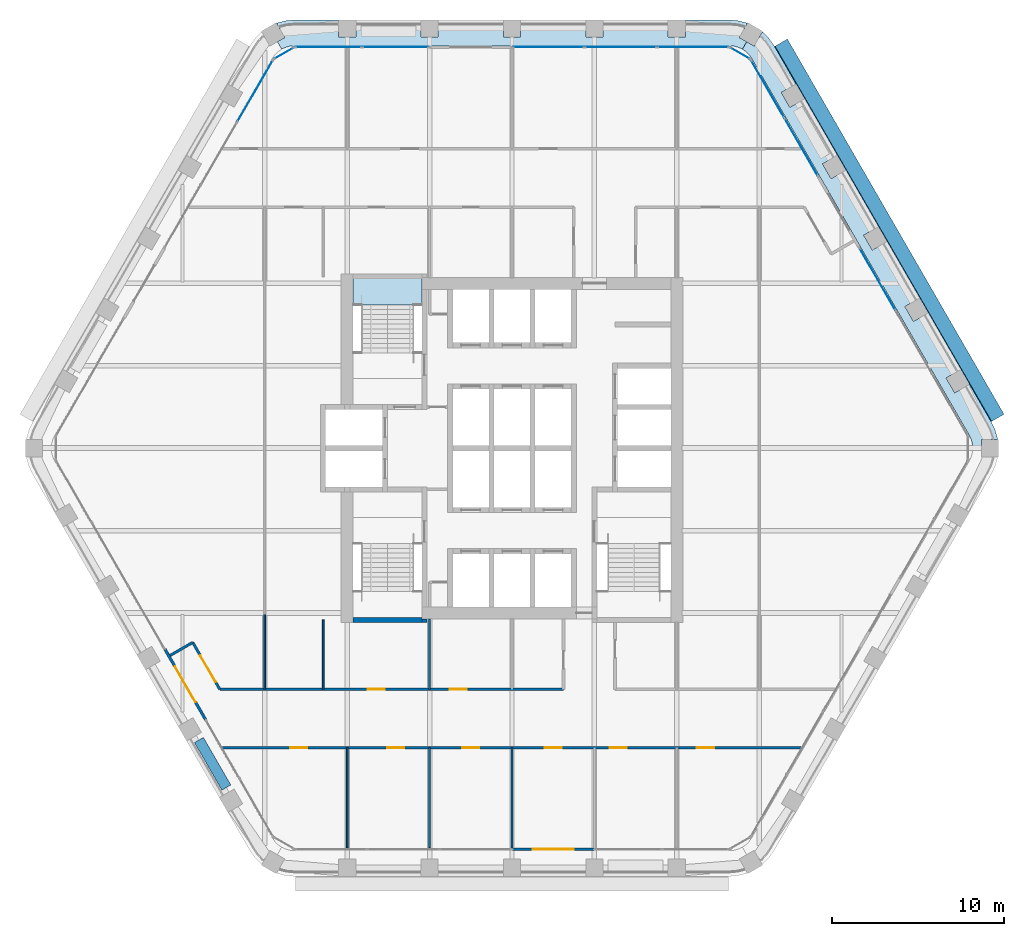
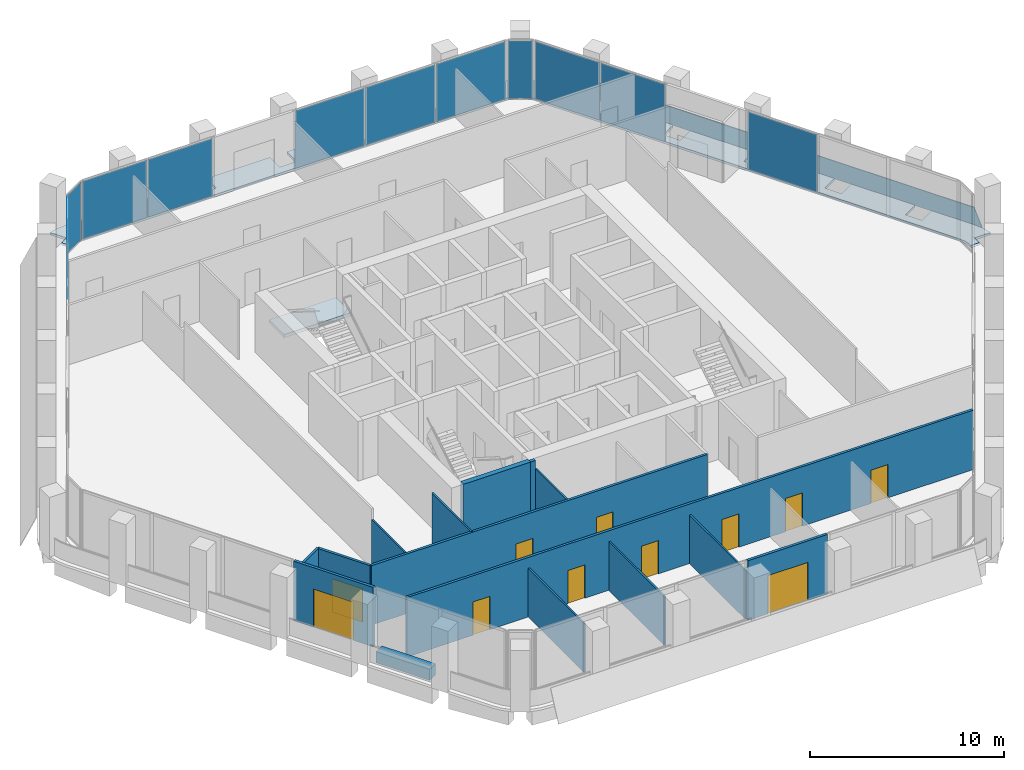
# One storey, part 8 of 15: 15 walls, 12 plates, 11 doors, 3 slabs, 11 openings, 8 elements without a shape of their own.
"""IFC4 building model written with IfcOpenShell, lengths in metres."""

from ifc_helpers import new_model, si_unit, direction, frame, frame_2d, origin, origin_2d, place, context, subcontext, project, spatial, polyline, rectangle, outline, extrude, material, layer, layer_set, type_object, element, fill, aggregate, save


model = new_model("IFC4")

# Units and contexts
model_context = context("Model", 3, precision=1e-05, world=origin(), true_north=direction((0.0, 1.0)))
body_context = subcontext(model_context, "Body", "Model", "MODEL_VIEW")
ifc_project = project(units=[si_unit("LENGTHUNIT", "METRE"), si_unit("AREAUNIT", "SQUARE_METRE"), si_unit("VOLUMEUNIT", "CUBIC_METRE"), si_unit("PLANEANGLEUNIT", "RADIAN"), si_unit("MASSUNIT", "GRAM", prefix="KILO")], contexts=[model_context])

# Site, building, storey
site_placement = place(None, origin())
site = spatial("IfcSite", under=ifc_project, at=site_placement, CompositionType="ELEMENT")
building_placement = place(site_placement, origin())
building = spatial("IfcBuilding", under=site, at=building_placement, Name="Kolab Exchange Tower", CompositionType="ELEMENT")
storey_placement = place(building_placement, frame((0.0, 0.0, 142.699951171875)))
storey = spatial("IfcBuildingStorey", under=building, at=storey_placement, Name="L28", CompositionType="ELEMENT", Elevation=142.699951171875)

# Slabs
ifc_material_1 = material(Name="Concrete C35/45", Category="concrete")
ifc_layer_1 = layer(ifc_material_1, 0.14990234375)
ifc_layer_set_1 = layer_set([ifc_layer_1], Name="Concrete C35/45")
slab_type_1 = type_object("IfcSlabType", Name="LOGGIA SLAB 150", PredefinedType="FLOOR", material=ifc_layer_set_1)
slab_1_placement = place(storey_placement, frame((0.0, 0.0, -0.14990234375)))
element("IfcSlab", 1, at=slab_1_placement, inside=storey, type_object=slab_type_1, Name="slab/L28/loggia/0-0", PredefinedType="FLOOR", context=body_context, shape_type="SweptSolid", body=[
    extrude(outline(polyline([(13.41796875, 23.240478515625), (13.66796875, 23.673583984375), (13.23486328125, 23.923583984375), (13.713134765625, 24.751708984375), (13.694091796875, 24.760498046875), (13.18896484375, 24.89599609375), (12.66796875, 24.941650390625), (10.10009765625, 24.941650390625), (10.10009765625, 23.941650390625), (9.10009765625, 23.941650390625), (9.10009765625, 24.941650390625), (5.300048828125, 24.941650390625), (5.300048828125, 23.941650390625), (4.300048828125, 23.941650390625), (4.300048828125, 24.941650390625), (0.5, 24.941650390625), (0.5, 23.941650390625), (-0.5, 23.941650390625), (-0.5, 24.941650390625), (-4.300048828125, 24.941650390625), (-4.300048828125, 23.941650390625), (-5.300048828125, 23.941650390625), (-5.300048828125, 24.941650390625), (-9.10009765625, 24.941650390625), (-9.10009765625, 23.941650390625), (-10.10009765625, 23.941650390625), (-10.10009765625, 24.941650390625), (-12.66796875, 24.941650390625), (-13.18896484375, 24.89599609375), (-13.694091796875, 24.760498046875), (-13.713134765625, 24.751708984375), (-13.23486328125, 23.923583984375), (-13.66796875, 23.673583984375), (-13.41796875, 23.240478515625), (-13.180908203125, 23.35107421875), (-12.928466796875, 23.418701171875), (-12.66796875, 23.441650390625), (12.66796875, 23.441650390625), (12.928466796875, 23.418701171875), (13.180908203125, 23.35107421875), (13.41796875, 23.240478515625)])), origin(), (0.0, 0.0, 1.0), 0.14990234375),
])
slab_2_placement = place(storey_placement, frame((0.0, 0.0, -0.14990234375)))
element("IfcSlab", 2, at=slab_2_placement, inside=storey, type_object=slab_type_1, Name="slab/L28/loggia/1-0", PredefinedType="FLOOR", context=body_context, shape_type="SweptSolid", body=[
    extrude(outline(polyline([(26.8359375, 0.0), (27.3359375, 0.0), (27.3359375, 0.5), (28.292236328125, 0.5), (28.290283203125, 0.52099609375), (28.155029296875, 1.026123046875), (27.93408203125, 1.5), (26.64990234375, 3.723876953125), (25.783935546875, 3.223876953125), (25.283935546875, 4.08984375), (26.14990234375, 4.58984375), (24.25, 7.880859375), (23.384033203125, 7.380859375), (22.884033203125, 8.246826171875), (23.75, 8.746826171875), (21.85009765625, 12.037841796875), (20.98388671875, 11.537841796875), (20.48388671875, 12.40380859375), (21.35009765625, 12.90380859375), (19.449951171875, 16.194580078125), (18.583984375, 15.694580078125), (18.083984375, 16.560791015625), (18.949951171875, 17.060791015625), (17.050048828125, 20.3515625), (16.18408203125, 19.8515625), (15.68408203125, 20.717529296875), (16.550048828125, 21.217529296875), (15.26611328125, 23.441650390625), (14.966064453125, 23.869873046875), (14.59619140625, 24.23974609375), (14.5791015625, 24.251708984375), (14.10107421875, 23.423583984375), (13.66796875, 23.673583984375), (13.41796875, 23.240478515625), (13.632080078125, 23.090576171875), (13.81689453125, 22.90576171875), (13.967041015625, 22.691650390625), (26.635009765625, 0.75), (26.745361328125, 0.512939453125), (26.81298828125, 0.260498046875), (26.8359375, 0.0)])), origin(), (0.0, 0.0, 1.0), 0.14990234375),
])

# Plate
ifc_material_2 = material(Name="Laminated glass, clear", Category="glass")
ifc_layer_2 = layer(ifc_material_2, 0.0400390625)
ifc_layer_set_2 = layer_set([ifc_layer_2], Name="Laminated glass, clear")
plate_type_1 = type_object("IfcPlateType", Name="OUTER SKIN LAMINATED GLASS SHEET 40", PredefinedType="SHEET", material=ifc_layer_set_2)
plate_1_placement = place(storey_placement, frame((16.040283203125, 23.830810546875, -0.68310546875), z_axis=(0.784898656704, 0.453161865271, 0.422585402693), x_axis=(0.499999968995, -0.866025421685, 9.26315e-07)))
element("IfcPlate", 3, at=plate_1_placement, inside=storey, type_object=plate_type_1, Name="Outer skin", PredefinedType="SHEET", context=body_context, shape_type="SweptSolid", body=[
    extrude(outline(polyline([(0.0, 0.0), (25.23592824607872, 0.0), (25.235843279343595, -1.9612922777250177), (0.00012646525258337368, -1.961343862676479), (0.0, 0.0)])), origin(), (0.0, 0.0, -1.0), 0.0400390625),
])

# Stair, slab
ifc_material_3 = material(Name="Concrete C50/60", Category="concrete")
stair_type = type_object("IfcStairType", Name="STAIR ST1 RISER 177.3", PredefinedType="HALF_TURN_STAIR", material=ifc_material_3)
stair_placement = place(storey_placement, origin())
stair = element("IfcStair", 4, at=stair_placement, inside=storey, type_object=stair_type, Name="Stair 1", PredefinedType="HALF_TURN_STAIR")
ifc_layer_3 = layer(ifc_material_3, 0.199951171875)
ifc_layer_set_3 = layer_set([ifc_layer_3], Name="Concrete C50/60")
slab_type_2 = type_object("IfcSlabType", Name="STAIR LANDING 200", PredefinedType="LANDING", material=ifc_layer_set_3)
slab_3_placement = place(storey_placement, frame((0.0, 0.0, 1.75)))
slab_3 = element("IfcSlab", 5, at=slab_3_placement, type_object=slab_type_2, Name="ST1 landing 2", PredefinedType="LANDING", context=body_context, shape_type="SweptSolid", body=[
    extrude(outline(polyline([(-9.25, 8.35009765625), (-5.25, 8.35009765625), (-5.25, 9.909912109375), (-9.25, 9.909912109375), (-9.25, 8.35009765625)])), origin(), (0.0, 0.0, 1.0), 0.199951171875),
])
aggregate(stair, [slab_3])

# Curtain wall, plates
ifc_material_4 = material(Name="Aluminium EN AW-6063 T6", Category="aluminium")
curtain_wall_type = type_object("IfcCurtainWallType", Name="UNITISED UPPER MID ZONE CURTAIN WALL", PredefinedType="NOTDEFINED", material=ifc_material_4)
curtain_wall_1_placement = place(storey_placement, origin())
curtain_wall_1 = element("IfcCurtainWall", 6, at=curtain_wall_1_placement, inside=storey, type_object=curtain_wall_type, Name="cw/L28/F1-1", PredefinedType="NOTDEFINED")
ifc_material_5 = material(Name="Clear insulated glazing unit", Category="glass")
ifc_layer_4 = layer(ifc_material_5, 0.028076171875)
ifc_layer_set_4 = layer_set([ifc_layer_4], Name="Clear insulated glazing unit")
plate_type_2 = type_object("IfcPlateType", Name="UNITISED UPPER MID ZONE GLASS PANEL 28", PredefinedType="CURTAIN_PANEL", material=ifc_layer_set_4)
plate_2_placement = place(storey_placement, frame((-10.68603515625, 23.361572265625, 0.06005859375), z_axis=(0.0, 0.0, 1.0), x_axis=(1.0, 0.0, 0.0)))
plate_2 = element("IfcPlate", 7, at=plate_2_placement, type_object=plate_type_2, Name="CW3 panel 1.1", PredefinedType="CURTAIN_PANEL", context=body_context, shape_type="SweptSolid", body=[
    extrude(rectangle(XDim=3.843994140625, YDim=0.028076171875, at=origin_2d()), origin(), (0.0, 0.0, 1.0), 3.6298828125),
])
plate_3_placement = place(storey_placement, frame((-6.781982421875, 23.361572265625, 0.06005859375), z_axis=(0.0, 0.0, 1.0), x_axis=(1.0, 0.0, 0.0)))
plate_3 = element("IfcPlate", 8, at=plate_3_placement, type_object=plate_type_2, Name="CW3 panel 2.1", PredefinedType="CURTAIN_PANEL", context=body_context, shape_type="SweptSolid", body=[
    extrude(rectangle(XDim=3.843994140625, YDim=0.028076171875, at=origin_2d()), origin(), (0.0, 0.0, 1.0), 3.6298828125),
])
aggregate(curtain_wall_1, [plate_2, plate_3])

curtain_wall_2_placement = place(storey_placement, origin())
curtain_wall_2 = element("IfcCurtainWall", 9, at=curtain_wall_2_placement, inside=storey, type_object=curtain_wall_type, Name="cw/L28/F1-2", PredefinedType="NOTDEFINED")
plate_4_placement = place(storey_placement, frame((2.126220703125, 23.361572265625, 0.06005859375), z_axis=(0.0, 0.0, 1.0), x_axis=(1.0, 0.0, 0.0)))
plate_4 = element("IfcPlate", 10, at=plate_4_placement, type_object=plate_type_2, Name="CW3 panel 1.1", PredefinedType="CURTAIN_PANEL", context=body_context, shape_type="SweptSolid", body=[
    extrude(rectangle(XDim=4.132568359375, YDim=0.028076171875, at=origin_2d()), origin(), (0.0, 0.0, 1.0), 3.6298828125),
])
plate_5_placement = place(storey_placement, frame((6.333984375, 23.361572265625, 0.06005859375), z_axis=(0.0, 0.0, 1.0), x_axis=(1.0, 0.0, 0.0)))
plate_5 = element("IfcPlate", 11, at=plate_5_placement, type_object=plate_type_2, Name="CW3 panel 2.1", PredefinedType="CURTAIN_PANEL", context=body_context, shape_type="SweptSolid", body=[
    extrude(rectangle(XDim=4.16259765625, YDim=0.028076171875, at=origin_2d()), origin(), (0.0, 0.0, 1.0), 3.6298828125),
])
plate_6_placement = place(storey_placement, frame((10.54150390625, 23.361572265625, 0.06005859375), z_axis=(0.0, 0.0, 1.0), x_axis=(1.0, 0.0, 0.0)))
plate_6 = element("IfcPlate", 12, at=plate_6_placement, type_object=plate_type_2, Name="CW3 panel 3.1", PredefinedType="CURTAIN_PANEL", context=body_context, shape_type="SweptSolid", body=[
    extrude(rectangle(XDim=4.132568359375, YDim=0.028076171875, at=origin_2d()), origin(), (0.0, 0.0, 1.0), 3.6298828125),
])
aggregate(curtain_wall_2, [plate_4, plate_5, plate_6])

curtain_wall_3_placement = place(storey_placement, origin())
curtain_wall_3 = element("IfcCurtainWall", 13, at=curtain_wall_3_placement, inside=storey, type_object=curtain_wall_type, Name="cw/L28/F2-1", PredefinedType="NOTDEFINED")
plate_7_placement = place(storey_placement, frame((14.888671875, 20.93505859375, 0.06005859375), z_axis=(0.0, 0.0, 1.0), x_axis=(0.500000031681, -0.866025385493, 0.0)))
plate_7 = element("IfcPlate", 14, at=plate_7_placement, type_object=plate_type_2, Name="CW3 panel 1.1", PredefinedType="CURTAIN_PANEL", context=body_context, shape_type="SweptSolid", body=[
    extrude(rectangle(XDim=3.843994140625, YDim=0.028076171875, at=origin_2d()), origin(), (0.0, 0.0, 1.0), 3.6298828125),
])
plate_8_placement = place(storey_placement, frame((16.840576171875, 17.55419921875, 0.06005859375), z_axis=(0.0, 0.0, 1.0), x_axis=(0.500000031681, -0.866025385493, 0.0)))
plate_8 = element("IfcPlate", 15, at=plate_8_placement, type_object=plate_type_2, Name="CW3 panel 2.1", PredefinedType="CURTAIN_PANEL", context=body_context, shape_type="SweptSolid", body=[
    extrude(rectangle(XDim=3.843994140625, YDim=0.028076171875, at=origin_2d()), origin(), (0.0, 0.0, 1.0), 3.6298828125),
])
aggregate(curtain_wall_3, [plate_7, plate_8])

# Curtain wall, plate
curtain_wall_4_placement = place(storey_placement, origin())
curtain_wall_4 = element("IfcCurtainWall", 16, at=curtain_wall_4_placement, inside=storey, type_object=curtain_wall_type, Name="cw/L28/F2-2", PredefinedType="NOTDEFINED")
plate_9_placement = place(storey_placement, frame((21.294921875, 9.83935546875, 0.06005859375), z_axis=(0.0, 0.0, 1.0), x_axis=(0.499999958358, -0.866025427826, 0.0)))
plate_9 = element("IfcPlate", 17, at=plate_9_placement, type_object=plate_type_2, Name="CW3 panel 1.1", PredefinedType="CURTAIN_PANEL", context=body_context, shape_type="SweptSolid", body=[
    extrude(rectangle(XDim=4.132568359375, YDim=0.028076171875, at=origin_2d()), origin(), (0.0, 0.0, 1.0), 3.6298828125),
])
aggregate(curtain_wall_4, [plate_9])

curtain_wall_5_placement = place(storey_placement, origin())
curtain_wall_5 = element("IfcCurtainWall", 18, at=curtain_wall_5_placement, inside=storey, type_object=curtain_wall_type, Name="cw/L28/F6-2", PredefinedType="NOTDEFINED")
plate_10_placement = place(storey_placement, frame((-14.9609375, 20.81005859375, 0.06005859375), z_axis=(0.0, 0.0, 1.0), x_axis=(0.500000017564, 0.866025393644, 0.0)))
plate_10 = element("IfcPlate", 19, at=plate_10_placement, type_object=plate_type_2, Name="CW3 panel 3.1", PredefinedType="CURTAIN_PANEL", context=body_context, shape_type="SweptSolid", body=[
    extrude(rectangle(XDim=4.132568359375, YDim=0.028076171875, at=origin_2d()), origin(), (0.0, 0.0, 1.0), 3.6298828125),
])
aggregate(curtain_wall_5, [plate_10])

curtain_wall_6_placement = place(storey_placement, origin())
curtain_wall_6 = element("IfcCurtainWall", 20, at=curtain_wall_6_placement, inside=storey, type_object=curtain_wall_type, Name="cw/L28/F1F2-corner", PredefinedType="NOTDEFINED")
plate_11_placement = place(storey_placement, frame((13.28271484375, 23.006591796875, 0.06005859375), z_axis=(0.0, 0.0, 1.0), x_axis=(0.866025390869, -0.50000002237, 0.0)))
plate_11 = element("IfcPlate", 21, at=plate_11_placement, type_object=plate_type_2, Name="CW3 panel 1.1", PredefinedType="CURTAIN_PANEL", context=body_context, shape_type="SweptSolid", body=[
    extrude(rectangle(XDim=1.300048828125, YDim=0.028076171875, at=origin_2d()), origin(), (0.0, 0.0, 1.0), 3.6298828125),
])
aggregate(curtain_wall_6, [plate_11])

curtain_wall_7_placement = place(storey_placement, origin())
curtain_wall_7 = element("IfcCurtainWall", 22, at=curtain_wall_7_placement, inside=storey, type_object=curtain_wall_type, Name="cw/L28/F6F1-corner", PredefinedType="NOTDEFINED")
plate_12_placement = place(storey_placement, frame((-13.28271484375, 23.006591796875, 0.06005859375), z_axis=(0.0, 0.0, 1.0), x_axis=(0.866025390869, 0.50000002237, 0.0)))
plate_12 = element("IfcPlate", 23, at=plate_12_placement, type_object=plate_type_2, Name="CW3 panel 1.1", PredefinedType="CURTAIN_PANEL", context=body_context, shape_type="SweptSolid", body=[
    extrude(rectangle(XDim=1.300048828125, YDim=0.028076171875, at=origin_2d()), origin(), (0.0, 0.0, 1.0), 3.6298828125),
])
aggregate(curtain_wall_7, [plate_12])

# Wall, opening, door
ifc_layer_5 = layer(ifc_material_4, 0.159912109375)
ifc_layer_set_5 = layer_set([ifc_layer_5], Name="Aluminium EN AW-6063 T6")
wall_type_1 = type_object("IfcWallType", Name="DOOR SURROUND WALL 160 ALUMINIUM FRAMED", PredefinedType="PARTITIONING", material=ifc_layer_set_5)
wall_1_placement = place(storey_placement, frame((4.77001953125, -23.361572265625, 0.0), z_axis=(0.0, 0.0, 1.0), x_axis=(-1.0, 0.0, 0.0)))
wall_1 = element("IfcWall", 24, at=wall_1_placement, inside=storey, type_object=wall_type_1, Name="Door surround wall", PredefinedType="PARTITIONING", context=body_context, shape_type="SweptSolid", body=[
    extrude(rectangle(XDim=4.739990234375, YDim=0.159912109375, at=frame_2d((2.3701171875, 0.0))), origin(), (0.0, 0.0, 1.0), 3.75),
])
opening_1_placement = place(wall_1_placement, frame((1.169921875, 0.0, 0.0)))
opening_1 = element("IfcOpeningElement", 25, at=opening_1_placement, cuts=wall_1, Name="Opening GD1-067", PredefinedType="OPENING", context=body_context, shape_type="SweptSolid", body=[
    extrude(rectangle(XDim=2.39990234375, YDim=2.39990234375, at=frame_2d((1.199951171875, 1.199951171875))), frame((0.0, 0.08984375, 0.0), z_axis=(0.0, -1.0, 0.0), x_axis=(1.0, 0.0, 0.0)), (0.0, 0.0, 1.0), 0.179931640625),
])
door_type_1 = type_object("IfcDoorType", Name="LOGGIA SLIDING GLASS DOOR 2400 X 2400", OperationType="DOUBLE_DOOR_SINGLE_SWING", PredefinedType="DOOR", material=ifc_material_4)
door_1_placement = place(opening_1_placement, origin())
door_1 = element("IfcDoor", 26, at=door_1_placement, inside=storey, type_object=door_type_1, Name="Loggia door", OperationType="DOUBLE_DOOR_SLIDING", OverallHeight=2.39990234375, OverallWidth=2.39990234375, PredefinedType="DOOR", context=body_context, shape_type="SweptSolid", body=[
    extrude(rectangle(XDim=2.39990234375, YDim=2.39990234375, at=frame_2d((1.199951171875, 1.199951171875))), frame((0.0, 0.02490234375, 0.0), z_axis=(0.0, -1.0, 0.0), x_axis=(1.0, 0.0, 0.0)), (0.0, 0.0, 1.0), 0.050048828125),
])
fill(opening_1, door_1)

wall_2_placement = place(storey_placement, frame((-17.8466796875, -15.811767578125, 0.0), z_axis=(0.0, 0.0, 1.0), x_axis=(-0.5000167099, 0.866015756104, 0.0)))
wall_2 = element("IfcWall", 27, at=wall_2_placement, inside=storey, type_object=wall_type_1, Name="Door surround wall", PredefinedType="PARTITIONING", context=body_context, shape_type="SweptSolid", body=[
    extrude(rectangle(XDim=4.739990234375, YDim=0.159912109375, at=frame_2d((2.3701171875, 0.0))), origin(), (0.0, 0.0, 1.0), 3.75),
])
opening_2_placement = place(wall_2_placement, frame((1.169921875, 0.0, 0.0)))
opening_2 = element("IfcOpeningElement", 28, at=opening_2_placement, cuts=wall_2, Name="Opening GD1-068", PredefinedType="OPENING", context=body_context, shape_type="SweptSolid", body=[
    extrude(rectangle(XDim=2.39990234375, YDim=2.39990234375, at=frame_2d((1.199951171875, 1.199951171875))), frame((0.0, 0.08984375, 0.0), z_axis=(0.0, -1.0, 0.0), x_axis=(1.0, 0.0, 0.0)), (0.0, 0.0, 1.0), 0.179931640625),
])
door_2_placement = place(opening_2_placement, origin())
door_2 = element("IfcDoor", 29, at=door_2_placement, inside=storey, type_object=door_type_1, Name="Loggia door", OperationType="DOUBLE_DOOR_SLIDING", OverallHeight=2.39990234375, OverallWidth=2.39990234375, PredefinedType="DOOR", context=body_context, shape_type="SweptSolid", body=[
    extrude(rectangle(XDim=2.39990234375, YDim=2.39990234375, at=frame_2d((1.199951171875, 1.199951171875))), frame((0.0, 0.02490234375, 0.0), z_axis=(0.0, -1.0, 0.0), x_axis=(1.0, 0.0, 0.0)), (0.0, 0.0, 1.0), 0.050048828125),
])
fill(opening_2, door_2)

# Walls
ifc_material_6 = material(Name="Gypsum board", Category="gypsum")
ifc_layer_6 = layer(ifc_material_6, 0.10009765625)
ifc_layer_set_6 = layer_set([ifc_layer_6], Name="Gypsum board")
wall_type_2 = type_object("IfcWallType", Name="PARTITION 100", PredefinedType="PARTITIONING", material=ifc_layer_set_6)
wall_3_placement = place(storey_placement, frame((0.0, -23.281494140625, 0.0), z_axis=(0.0, 0.0, 1.0), x_axis=(0.0, 1.0, 0.0)))
element("IfcWall", 30, at=wall_3_placement, inside=storey, type_object=wall_type_2, Name="Partition 010", PredefinedType="PARTITIONING", context=body_context, shape_type="SweptSolid", body=[
    extrude(rectangle(XDim=5.840087890625, YDim=0.10009765625, at=frame_2d((2.919921875, 0.0))), origin(), (0.0, 0.0, 1.0), 3.066162109375),
])
wall_4_placement = place(storey_placement, frame((-4.800048828125, -23.271484375, 0.0), z_axis=(0.0, 0.0, 1.0), x_axis=(0.0, 1.0, 0.0)))
element("IfcWall", 31, at=wall_4_placement, inside=storey, type_object=wall_type_2, Name="Partition 014", PredefinedType="PARTITIONING", context=body_context, shape_type="SweptSolid", body=[
    extrude(rectangle(XDim=5.830078125, YDim=0.10009765625, at=frame_2d((2.9150390625, 0.0))), origin(), (0.0, 0.0, 1.0), 3.066162109375),
])
wall_5_placement = place(storey_placement, frame((-4.800048828125, -14.04150390625, 0.0), z_axis=(0.0, 0.0, 1.0), x_axis=(0.0, 1.0, 0.0)))
element("IfcWall", 32, at=wall_5_placement, inside=storey, type_object=wall_type_2, Name="Partition 015", PredefinedType="PARTITIONING", context=body_context, shape_type="SweptSolid", body=[
    extrude(rectangle(XDim=4.091552734375, YDim=0.10009765625, at=frame_2d((2.0458984375, 0.0))), origin(), (0.0, 0.0, 1.0), 3.066162109375),
])
wall_6_placement = place(storey_placement, frame((-9.60009765625, -23.271484375, 0.0), z_axis=(0.0, 0.0, 1.0), x_axis=(0.0, 1.0, 0.0)))
element("IfcWall", 33, at=wall_6_placement, inside=storey, type_object=wall_type_2, Name="Partition 019", PredefinedType="PARTITIONING", context=body_context, shape_type="SweptSolid", body=[
    extrude(rectangle(XDim=5.830078125, YDim=0.10009765625, at=frame_2d((2.9150390625, 0.0))), origin(), (0.0, 0.0, 1.0), 3.066162109375),
])
wall_7_placement = place(storey_placement, frame((-11.0, -14.04150390625, 0.0), z_axis=(0.0, 0.0, 1.0), x_axis=(0.0, 1.0, 0.0)))
element("IfcWall", 34, at=wall_7_placement, inside=storey, type_object=wall_type_2, Name="Partition 021", PredefinedType="PARTITIONING", context=body_context, shape_type="SweptSolid", body=[
    extrude(rectangle(XDim=4.04150390625, YDim=0.10009765625, at=frame_2d((2.020751953125, 0.0))), origin(), (0.0, 0.0, 1.0), 3.75),
])
wall_8_placement = place(storey_placement, frame((-14.39990234375, -14.04150390625, 0.0), z_axis=(0.0, 0.0, 1.0), x_axis=(0.0, 1.0, 0.0)))
element("IfcWall", 35, at=wall_8_placement, inside=storey, type_object=wall_type_2, Name="Partition 023", PredefinedType="PARTITIONING", context=body_context, shape_type="SweptSolid", body=[
    extrude(rectangle(XDim=4.347900390625, YDim=0.10009765625, at=frame_2d((2.173828125, 0.0))), origin(), (0.0, 0.0, 1.0), 3.066162109375),
])

# Wall, opening, door
ifc_layer_7 = layer(ifc_material_6, 0.14990234375)
ifc_layer_set_7 = layer_set([ifc_layer_7], Name="Gypsum board")
wall_type_3 = type_object("IfcWallType", Name="PARTITION 150 FIRE-RATED", PredefinedType="PARTITIONING", material=ifc_layer_set_7)
wall_9_placement = place(storey_placement, frame((-18.595947265625, -11.313720703125, 0.0), z_axis=(0.0, 0.0, 1.0), x_axis=(0.499957296199, -0.866050057432, 0.0)))
wall_9 = element("IfcWall", 36, at=wall_9_placement, inside=storey, type_object=wall_type_3, Name="Partition 024", PredefinedType="PARTITIONING", context=body_context, shape_type="SweptSolid", body=[
    extrude(rectangle(XDim=3.149658203125, YDim=0.14990234375, at=frame_2d((1.57470703125, 0.0))), origin(), (0.0, 0.0, 1.0), 3.75),
])
opening_3_placement = place(wall_9_placement, frame((0.867431640625, 0.0, 0.0)))
opening_3 = element("IfcOpeningElement", 37, at=opening_3_placement, cuts=wall_9, Name="Opening D2-040", PredefinedType="OPENING", context=body_context, shape_type="SweptSolid", body=[
    extrude(rectangle(XDim=1.800048828125, YDim=2.10009765625, at=frame_2d((0.89990234375, 1.050048828125))), frame((0.0, 0.0849609375, 0.0), z_axis=(0.0, -1.0, 0.0), x_axis=(1.0, 0.0, 0.0)), (0.0, 0.0, 1.0), 0.169921875),
])
ifc_material_7 = material(Name="Steel S235", Category="steel")
door_type_2 = type_object("IfcDoorType", Name="DOUBLE DOOR 1800 FD60", OperationType="DOUBLE_DOOR_SINGLE_SWING", PredefinedType="DOOR", material=ifc_material_7)
door_3_placement = place(opening_3_placement, origin())
door_3 = element("IfcDoor", 38, at=door_3_placement, inside=storey, type_object=door_type_2, Name="Door L28-051", OperationType="SINGLE_SWING_RIGHT", OverallHeight=2.10009765625, OverallWidth=1.800048828125, PredefinedType="DOOR", context=body_context, shape_type="SweptSolid", body=[
    extrude(rectangle(XDim=1.800048828125, YDim=2.10009765625, at=frame_2d((0.89990234375, 1.050048828125))), frame((0.0, 0.02490234375, 0.0), z_axis=(0.0, -1.0, 0.0), x_axis=(1.0, 0.0, 0.0)), (0.0, 0.0, 1.0), 0.050048828125),
])
fill(opening_3, door_3)

# Wall
wall_10_placement = place(storey_placement, frame((-19.912353515625, -12.07373046875, 0.0), z_axis=(0.0, 0.0, 1.0), x_axis=(0.866030456496, 0.499991248344, 0.0)))
element("IfcWall", 39, at=wall_10_placement, inside=storey, type_object=wall_type_3, Name="Partition 026", PredefinedType="PARTITIONING", context=body_context, shape_type="SweptSolid", body=[
    extrude(rectangle(XDim=1.52001953125, YDim=0.14990234375, at=frame_2d((0.760009765625, 0.0))), origin(), (0.0, 0.0, 1.0), 3.75),
])

# Wall, openings, doors
wall_11_placement = place(storey_placement, frame((-16.859619140625, -17.44140625, 0.0), z_axis=(0.0, 0.0, 1.0), x_axis=(1.0, 0.0, 0.0)))
wall_11 = element("IfcWall", 40, at=wall_11_placement, inside=storey, type_object=wall_type_3, Name="Partition 028", PredefinedType="PARTITIONING", context=body_context, shape_type="SweptSolid", body=[
    extrude(rectangle(XDim=33.71923828125, YDim=0.14990234375, at=frame_2d((16.859619140625, 0.0))), origin(), (0.0, 0.0, 1.0), 3.75),
])
opening_4_placement = place(wall_11_placement, frame((3.93017578125, 0.0, 0.0)))
opening_4 = element("IfcOpeningElement", 41, at=opening_4_placement, cuts=wall_11, Name="Opening D1-410", PredefinedType="OPENING", context=body_context, shape_type="SweptSolid", body=[
    extrude(rectangle(XDim=1.0, YDim=2.10009765625, at=frame_2d((0.5, 1.050048828125))), frame((0.0, 0.0849609375, 0.0), z_axis=(0.0, -1.0, 0.0), x_axis=(1.0, 0.0, 0.0)), (0.0, 0.0, 1.0), 0.169921875),
])
opening_5_placement = place(wall_11_placement, frame((9.594482421875, 0.0, 0.0)))
opening_5 = element("IfcOpeningElement", 42, at=opening_5_placement, cuts=wall_11, Name="Opening D1-411", PredefinedType="OPENING", context=body_context, shape_type="SweptSolid", body=[
    extrude(rectangle(XDim=1.0, YDim=2.10009765625, at=frame_2d((0.5, 1.050048828125))), frame((0.0, 0.0849609375, 0.0), z_axis=(0.0, -1.0, 0.0), x_axis=(1.0, 0.0, 0.0)), (0.0, 0.0, 1.0), 0.169921875),
])
opening_6_placement = place(wall_11_placement, frame((13.95947265625, 0.0, 0.0)))
opening_6 = element("IfcOpeningElement", 43, at=opening_6_placement, cuts=wall_11, Name="Opening D1-412", PredefinedType="OPENING", context=body_context, shape_type="SweptSolid", body=[
    extrude(rectangle(XDim=1.0, YDim=2.10009765625, at=frame_2d((0.5, 1.050048828125))), frame((0.0, 0.0849609375, 0.0), z_axis=(0.0, -1.0, 0.0), x_axis=(1.0, 0.0, 0.0)), (0.0, 0.0, 1.0), 0.169921875),
])
opening_7_placement = place(wall_11_placement, frame((18.759521484375, 0.0, 0.0)))
opening_7 = element("IfcOpeningElement", 44, at=opening_7_placement, cuts=wall_11, Name="Opening D1-413", PredefinedType="OPENING", context=body_context, shape_type="SweptSolid", body=[
    extrude(rectangle(XDim=1.0, YDim=2.10009765625, at=frame_2d((0.5, 1.050048828125))), frame((0.0, 0.0849609375, 0.0), z_axis=(0.0, -1.0, 0.0), x_axis=(1.0, 0.0, 0.0)), (0.0, 0.0, 1.0), 0.169921875),
])
opening_8_placement = place(wall_11_placement, frame((22.54443359375, 0.0, 0.0)))
opening_8 = element("IfcOpeningElement", 45, at=opening_8_placement, cuts=wall_11, Name="Opening D1-414", PredefinedType="OPENING", context=body_context, shape_type="SweptSolid", body=[
    extrude(rectangle(XDim=1.0, YDim=2.10009765625, at=frame_2d((0.5, 1.050048828125))), frame((0.0, 0.0849609375, 0.0), z_axis=(0.0, -1.0, 0.0), x_axis=(1.0, 0.0, 0.0)), (0.0, 0.0, 1.0), 0.169921875),
])
opening_9_placement = place(wall_11_placement, frame((27.629150390625, 0.0, 0.0)))
opening_9 = element("IfcOpeningElement", 46, at=opening_9_placement, cuts=wall_11, Name="Opening D1-415", PredefinedType="OPENING", context=body_context, shape_type="SweptSolid", body=[
    extrude(rectangle(XDim=1.0, YDim=2.10009765625, at=frame_2d((0.5, 1.050048828125))), frame((0.0, 0.0849609375, 0.0), z_axis=(0.0, -1.0, 0.0), x_axis=(1.0, 0.0, 0.0)), (0.0, 0.0, 1.0), 0.169921875),
])
door_type_3 = type_object("IfcDoorType", Name="FLUSH DOOR 1000 FD60", OperationType="SINGLE_SWING_LEFT", PredefinedType="DOOR", material=ifc_material_7)
door_4_placement = place(opening_4_placement, frame((1.0, 0.0, 0.0), z_axis=(0.0, 0.0, 1.0), x_axis=(-1.0, 0.0, 0.0)))
door_4 = element("IfcDoor", 47, at=door_4_placement, inside=storey, type_object=door_type_3, Name="Door L28-043", OperationType="SINGLE_SWING_RIGHT", OverallHeight=2.10009765625, OverallWidth=1.0, PredefinedType="DOOR", context=body_context, shape_type="SweptSolid", body=[
    extrude(rectangle(XDim=1.0, YDim=2.10009765625, at=frame_2d((0.5, 1.050048828125))), frame((0.0, 0.02490234375, 0.0), z_axis=(0.0, -1.0, 0.0), x_axis=(1.0, 0.0, 0.0)), (0.0, 0.0, 1.0), 0.050048828125),
])
fill(opening_4, door_4)
door_5_placement = place(opening_5_placement, frame((1.0, 0.0, 0.0), z_axis=(0.0, 0.0, 1.0), x_axis=(-1.0, 0.0, 0.0)))
door_5 = element("IfcDoor", 48, at=door_5_placement, inside=storey, type_object=door_type_3, Name="Door L28-044", OperationType="SINGLE_SWING_RIGHT", OverallHeight=2.10009765625, OverallWidth=1.0, PredefinedType="DOOR", context=body_context, shape_type="SweptSolid", body=[
    extrude(rectangle(XDim=1.0, YDim=2.10009765625, at=frame_2d((0.5, 1.050048828125))), frame((0.0, 0.02490234375, 0.0), z_axis=(0.0, -1.0, 0.0), x_axis=(1.0, 0.0, 0.0)), (0.0, 0.0, 1.0), 0.050048828125),
])
fill(opening_5, door_5)
door_6_placement = place(opening_6_placement, frame((1.0, 0.0, 0.0), z_axis=(0.0, 0.0, 1.0), x_axis=(-1.0, 0.0, 0.0)))
door_6 = element("IfcDoor", 49, at=door_6_placement, inside=storey, type_object=door_type_3, Name="Door L28-045", OperationType="SINGLE_SWING_LEFT", OverallHeight=2.10009765625, OverallWidth=1.0, PredefinedType="DOOR", context=body_context, shape_type="SweptSolid", body=[
    extrude(rectangle(XDim=1.0, YDim=2.10009765625, at=frame_2d((0.5, 1.050048828125))), frame((0.0, 0.02490234375, 0.0), z_axis=(0.0, -1.0, 0.0), x_axis=(1.0, 0.0, 0.0)), (0.0, 0.0, 1.0), 0.050048828125),
])
fill(opening_6, door_6)
door_7_placement = place(opening_7_placement, frame((1.0, 0.0, 0.0), z_axis=(0.0, 0.0, 1.0), x_axis=(-1.0, 0.0, 0.0)))
door_7 = element("IfcDoor", 50, at=door_7_placement, inside=storey, type_object=door_type_3, Name="Door L28-046", OperationType="SINGLE_SWING_LEFT", OverallHeight=2.10009765625, OverallWidth=1.0, PredefinedType="DOOR", context=body_context, shape_type="SweptSolid", body=[
    extrude(rectangle(XDim=1.0, YDim=2.10009765625, at=frame_2d((0.5, 1.050048828125))), frame((0.0, 0.02490234375, 0.0), z_axis=(0.0, -1.0, 0.0), x_axis=(1.0, 0.0, 0.0)), (0.0, 0.0, 1.0), 0.050048828125),
])
fill(opening_7, door_7)
door_8_placement = place(opening_8_placement, frame((1.0, 0.0, 0.0), z_axis=(0.0, 0.0, 1.0), x_axis=(-1.0, 0.0, 0.0)))
door_8 = element("IfcDoor", 51, at=door_8_placement, inside=storey, type_object=door_type_3, Name="Door L28-047", OperationType="SINGLE_SWING_LEFT", OverallHeight=2.10009765625, OverallWidth=1.0, PredefinedType="DOOR", context=body_context, shape_type="SweptSolid", body=[
    extrude(rectangle(XDim=1.0, YDim=2.10009765625, at=frame_2d((0.5, 1.050048828125))), frame((0.0, 0.02490234375, 0.0), z_axis=(0.0, -1.0, 0.0), x_axis=(1.0, 0.0, 0.0)), (0.0, 0.0, 1.0), 0.050048828125),
])
fill(opening_8, door_8)
door_9_placement = place(opening_9_placement, frame((1.0, 0.0, 0.0), z_axis=(0.0, 0.0, 1.0), x_axis=(-1.0, 0.0, 0.0)))
door_9 = element("IfcDoor", 52, at=door_9_placement, inside=storey, type_object=door_type_3, Name="Door L28-048", OperationType="SINGLE_SWING_LEFT", OverallHeight=2.10009765625, OverallWidth=1.0, PredefinedType="DOOR", context=body_context, shape_type="SweptSolid", body=[
    extrude(rectangle(XDim=1.0, YDim=2.10009765625, at=frame_2d((0.5, 1.050048828125))), frame((0.0, 0.02490234375, 0.0), z_axis=(0.0, -1.0, 0.0), x_axis=(1.0, 0.0, 0.0)), (0.0, 0.0, 1.0), 0.050048828125),
])
fill(opening_9, door_9)

wall_12_placement = place(storey_placement, frame((-17.021240234375, -14.04150390625, 0.0), z_axis=(0.0, 0.0, 1.0), x_axis=(1.0, 0.0, 0.0)))
wall_12 = element("IfcWall", 53, at=wall_12_placement, inside=storey, type_object=wall_type_3, Name="Partition 029", PredefinedType="PARTITIONING", context=body_context, shape_type="SweptSolid", body=[
    extrude(rectangle(XDim=20.021240234375, YDim=0.14990234375, at=frame_2d((10.0107421875, 0.0))), origin(), (0.0, 0.0, 1.0), 3.75),
])
opening_10_placement = place(wall_12_placement, frame((8.62109375, 0.0, 0.0)))
opening_10 = element("IfcOpeningElement", 54, at=opening_10_placement, cuts=wall_12, Name="Opening D1-403", PredefinedType="OPENING", context=body_context, shape_type="SweptSolid", body=[
    extrude(rectangle(XDim=1.0, YDim=2.10009765625, at=frame_2d((0.5, 1.050048828125))), frame((0.0, 0.0849609375, 0.0), z_axis=(0.0, -1.0, 0.0), x_axis=(1.0, 0.0, 0.0)), (0.0, 0.0, 1.0), 0.169921875),
])
opening_11_placement = place(wall_12_placement, frame((13.396240234375, 0.0, 0.0)))
opening_11 = element("IfcOpeningElement", 55, at=opening_11_placement, cuts=wall_12, Name="Opening D1-404", PredefinedType="OPENING", context=body_context, shape_type="SweptSolid", body=[
    extrude(rectangle(XDim=1.0, YDim=2.10009765625, at=frame_2d((0.5, 1.050048828125))), frame((0.0, 0.0849609375, 0.0), z_axis=(0.0, -1.0, 0.0), x_axis=(1.0, 0.0, 0.0)), (0.0, 0.0, 1.0), 0.169921875),
])
door_10_placement = place(opening_10_placement, origin())
door_10 = element("IfcDoor", 56, at=door_10_placement, inside=storey, type_object=door_type_3, Name="Door L28-036", OperationType="SINGLE_SWING_LEFT", OverallHeight=2.10009765625, OverallWidth=1.0, PredefinedType="DOOR", context=body_context, shape_type="SweptSolid", body=[
    extrude(rectangle(XDim=1.0, YDim=2.10009765625, at=frame_2d((0.5, 1.050048828125))), frame((0.0, 0.02490234375, 0.0), z_axis=(0.0, -1.0, 0.0), x_axis=(1.0, 0.0, 0.0)), (0.0, 0.0, 1.0), 0.050048828125),
])
fill(opening_10, door_10)
door_11_placement = place(opening_11_placement, origin())
door_11 = element("IfcDoor", 57, at=door_11_placement, inside=storey, type_object=door_type_3, Name="Door L28-037", OperationType="SINGLE_SWING_LEFT", OverallHeight=2.10009765625, OverallWidth=1.0, PredefinedType="DOOR", context=body_context, shape_type="SweptSolid", body=[
    extrude(rectangle(XDim=1.0, YDim=2.10009765625, at=frame_2d((0.5, 1.050048828125))), frame((0.0, 0.02490234375, 0.0), z_axis=(0.0, -1.0, 0.0), x_axis=(1.0, 0.0, 0.0)), (0.0, 0.0, 1.0), 0.050048828125),
])
fill(opening_11, door_11)

# Walls
ifc_material_8 = material(Name="Granite facing", Category="masonry")
ifc_layer_8 = layer(ifc_material_8, 0.0400390625)
ifc_material_9 = material(Name="Concrete C40/50 precast", Category="concrete")
ifc_layer_9 = layer(ifc_material_9, 0.56005859375)
ifc_layer_set_8 = layer_set([ifc_layer_8, ifc_layer_9], Name="Concrete C40/50 precast")
wall_type_4 = type_object("IfcWallType", Name="PLANTER BOX 600 X 700 SOIL DEPTH 550", PredefinedType="USERDEFINED", material=ifc_layer_set_8)
wall_13_placement = place(storey_placement, frame((-16.636962890625, -19.766845703125, 0.0), z_axis=(0.0, 0.0, 1.0), x_axis=(-0.500028443584, 0.866008981251, 0.0)))
element("IfcWall", 58, at=wall_13_placement, inside=storey, type_object=wall_type_4, Name="Planter", ObjectType="PLANTER", PredefinedType="USERDEFINED", context=body_context, shape_type="SweptSolid", body=[
    extrude(rectangle(XDim=3.199951171875, YDim=0.60009765625, at=frame_2d((1.60009765625, 0.0))), origin(), (0.0, 0.0, 1.0), 0.699951171875),
])
ifc_layer_10 = layer(ifc_material_3, 0.300048828125)
ifc_layer_set_9 = layer_set([ifc_layer_10], Name="Concrete C50/60")
wall_type_5 = type_object("IfcWallType", Name="STAIR ENCLOSURE WALL 300 C50/60", PredefinedType="STANDARD", material=ifc_layer_set_9)
wall_14_placement = place(storey_placement, frame((-9.25, -10.0, -0.14990234375), z_axis=(0.0, 0.0, 1.0), x_axis=(1.0, 0.0, 0.0)))
element("IfcWall", 59, at=wall_14_placement, inside=storey, type_object=wall_type_5, Name="wall/L28/core/000", PredefinedType="STANDARD", context=body_context, shape_type="SweptSolid", body=[
    extrude(rectangle(XDim=4.0, YDim=0.300048828125, at=frame_2d((2.0, 0.0))), origin(), (0.0, 0.0, 1.0), 3.89990234375),
])
wall_15_placement = place(storey_placement, frame((-5.10009765625, -10.14990234375, -0.14990234375), z_axis=(0.0, 0.0, 1.0), x_axis=(0.0, 1.0, 0.0)))
element("IfcWall", 60, at=wall_15_placement, inside=storey, type_object=wall_type_5, Name="wall/L28/core/039", PredefinedType="STANDARD", context=body_context, shape_type="SweptSolid", body=[
    extrude(rectangle(XDim=0.199951171875, YDim=0.300048828125, at=frame_2d((0.10009765625, 0.0))), origin(), (0.0, 0.0, 1.0), 3.89990234375),
])

save(model, "model.ifc")
